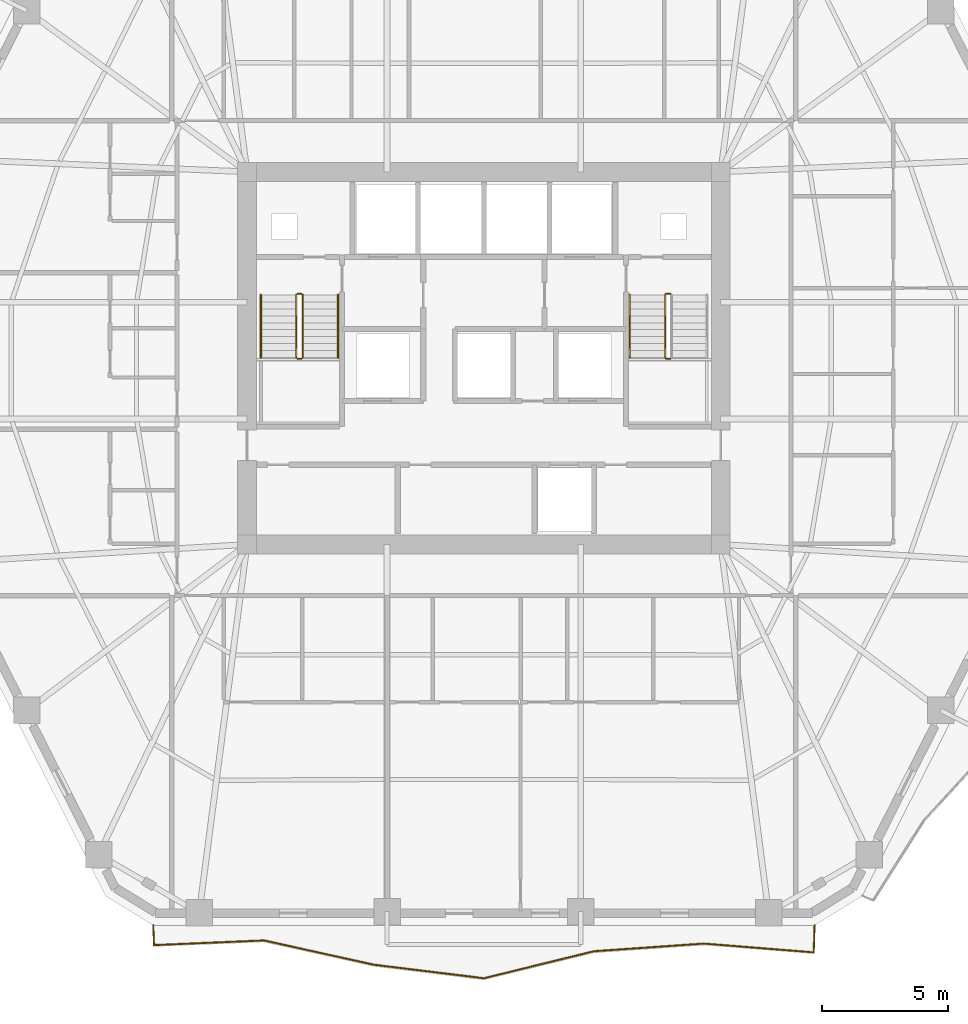
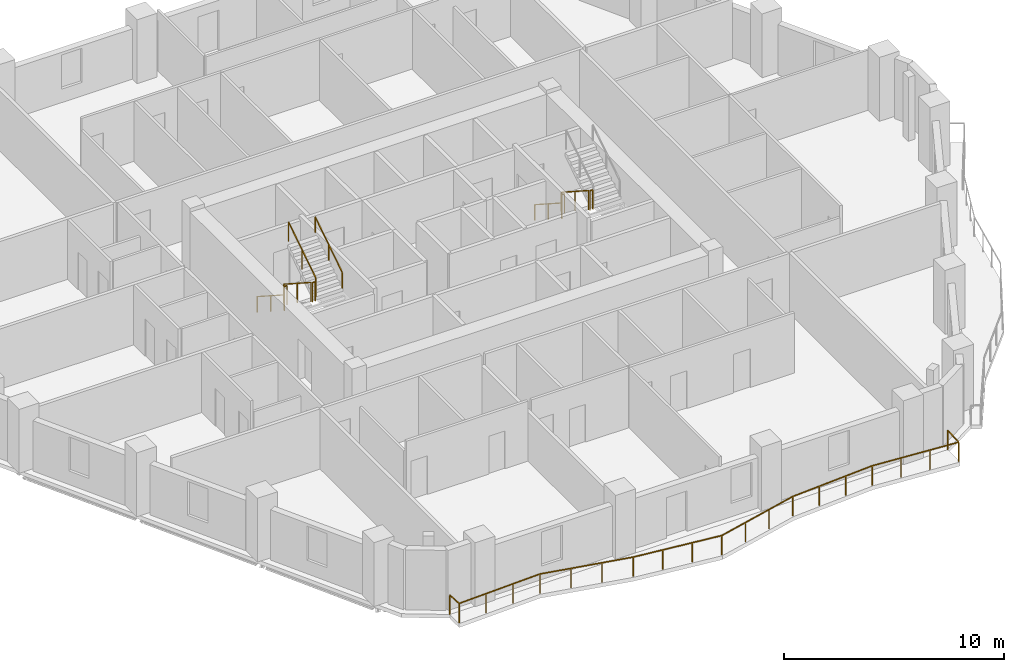
# One storey, part 9 of 10: 11 railings.
"""IFC4 building model written with IfcOpenShell, lengths in metres."""

from ifc_helpers import new_model, si_unit, direction, frame, origin, origin_2d, place, context, subcontext, project, spatial, rectangle, extrude, material, type_object, element, save


model = new_model("IFC4")

# Units and contexts
model_context = context("Model", 3, precision=1e-05, world=origin(), true_north=direction((0.0, 1.0)))
body_context = subcontext(model_context, "Body", "Model", "MODEL_VIEW")
ifc_project = project(units=[si_unit("LENGTHUNIT", "METRE"), si_unit("AREAUNIT", "SQUARE_METRE"), si_unit("VOLUMEUNIT", "CUBIC_METRE"), si_unit("PLANEANGLEUNIT", "RADIAN"), si_unit("MASSUNIT", "GRAM", prefix="KILO")], contexts=[model_context])

# Site, building, storey
site_placement = place(None, origin())
site = spatial("IfcSite", under=ifc_project, at=site_placement, CompositionType="ELEMENT")
building_placement = place(site_placement, origin())
building = spatial("IfcBuilding", under=site, at=building_placement, Name="Cinnabar Lancet Tower", CompositionType="ELEMENT")
storey_placement = place(building_placement, frame((0.0, 0.0, 116.14990234375)))
storey = spatial("IfcBuildingStorey", under=building, at=storey_placement, Name="L30", CompositionType="ELEMENT", Elevation=116.14990234375)

# Railings
ifc_material_1 = material(Name="Laminated safety glass and bronze stainless steel balustrade", Category="steel")
railing_type_1 = type_object("IfcRailingType", Name="ENV-RLG-BAL-1100", PredefinedType="BALUSTRADE", material=ifc_material_1)
railing_1_placement = place(storey_placement, frame((19.30810546875, 3.449951171875, 0.0)))
element("IfcRailing", 1, at=railing_1_placement, inside=storey, type_object=railing_type_1, Name="L30 Face 1 Wave Balcony Balustrade", PredefinedType="BALUSTRADE", context=body_context, shape_type="SweptSolid", body=[
    extrude(rectangle(XDim=0.048095703125, YDim=0.048095703125, at=origin_2d()), frame((0.0, 0.0, 1.076171875), z_axis=(0.043194484882, -0.999066682697, 0.0), x_axis=(0.999066682697, 0.043194484882, 0.0)), (0.0, 0.0, 1.0), 0.78564453125),
    extrude(rectangle(XDim=0.048095703125, YDim=0.048095703125, at=origin_2d()), frame((0.033935546875, -0.784912109375, 1.076171875), z_axis=(0.999088841889, 0.042678870811, 0.0), x_axis=(-0.042678870811, 0.999088841889, 0.0)), (0.0, 0.0, 1.0), 4.35888671875),
    extrude(rectangle(XDim=0.048095703125, YDim=0.048095703125, at=origin_2d()), frame((4.388916015625, -0.598876953125, 1.076171875), z_axis=(0.97646850042, -0.215660074394, 0.0), x_axis=(0.215660074394, 0.97646850042, 0.0)), (0.0, 0.0, 1.0), 4.45703125),
    extrude(rectangle(XDim=0.048095703125, YDim=0.048095703125, at=origin_2d()), frame((8.740966796875, -1.56005859375, 1.076171875), z_axis=(0.992526896599, -0.122026060852, 0.0), x_axis=(0.122026060852, 0.992526896599, 0.0)), (0.0, 0.0, 1.0), 4.383544921875),
    extrude(rectangle(XDim=0.048095703125, YDim=0.048095703125, at=origin_2d()), frame((13.091796875, -2.094970703125, 1.076171875), z_axis=(0.97116586772, 0.238404818274, 0.0), x_axis=(-0.238404818274, 0.97116586772, 0.0)), (0.0, 0.0, 1.0), 4.480224609375),
    extrude(rectangle(XDim=0.048095703125, YDim=0.048095703125, at=origin_2d()), frame((17.44287109375, -1.02685546875, 1.076171875), z_axis=(0.997585481011, 0.069449320203, 0.0), x_axis=(-0.069449320203, 0.997585481011, 0.0)), (0.0, 0.0, 1.0), 4.362548828125),
    extrude(rectangle(XDim=0.048095703125, YDim=0.048095703125, at=origin_2d()), frame((21.794921875, -0.723876953125, 1.076171875), z_axis=(0.996819896664, -0.079687474641, 0.0), x_axis=(0.079687474641, 0.996819896664, 0.0)), (0.0, 0.0, 1.0), 4.368896484375),
    extrude(rectangle(XDim=0.048095703125, YDim=0.048095703125, at=origin_2d()), frame((26.14990234375, -1.072021484375, 1.076171875), z_axis=(0.03163981045, 0.999499335865, 0.0), x_axis=(-0.999499335865, 0.03163981045, 0.0)), (0.0, 0.0, 1.0), 1.072509765625),
    extrude(rectangle(XDim=0.0419921875, YDim=0.0419921875, at=origin_2d()), origin(), (0.0, 0.0, 1.0), 1.052001953125),
    extrude(rectangle(XDim=0.0419921875, YDim=0.0419921875, at=origin_2d()), frame((0.033935546875, -0.784912109375, 0.0)), (0.0, 0.0, 1.0), 1.052001953125),
    extrude(rectangle(XDim=0.0419921875, YDim=0.0419921875, at=origin_2d()), frame((1.485595703125, -0.722900390625, 0.0)), (0.0, 0.0, 1.0), 1.052001953125),
    extrude(rectangle(XDim=0.0419921875, YDim=0.0419921875, at=origin_2d()), frame((2.937255859375, -0.660888671875, 0.0)), (0.0, 0.0, 1.0), 1.052001953125),
    extrude(rectangle(XDim=0.0419921875, YDim=0.0419921875, at=origin_2d()), frame((4.388916015625, -0.598876953125, 0.0)), (0.0, 0.0, 1.0), 1.052001953125),
    extrude(rectangle(XDim=0.0419921875, YDim=0.0419921875, at=origin_2d()), frame((5.839599609375, -0.919189453125, 0.0)), (0.0, 0.0, 1.0), 1.052001953125),
    extrude(rectangle(XDim=0.0419921875, YDim=0.0419921875, at=origin_2d()), frame((7.290283203125, -1.23974609375, 0.0)), (0.0, 0.0, 1.0), 1.052001953125),
    extrude(rectangle(XDim=0.0419921875, YDim=0.0419921875, at=origin_2d()), frame((8.740966796875, -1.56005859375, 0.0)), (0.0, 0.0, 1.0), 1.052001953125),
    extrude(rectangle(XDim=0.0419921875, YDim=0.0419921875, at=origin_2d()), frame((10.191162109375, -1.73828125, 0.0)), (0.0, 0.0, 1.0), 1.052001953125),
    extrude(rectangle(XDim=0.0419921875, YDim=0.0419921875, at=origin_2d()), frame((11.6416015625, -1.916748046875, 0.0)), (0.0, 0.0, 1.0), 1.052001953125),
    extrude(rectangle(XDim=0.0419921875, YDim=0.0419921875, at=origin_2d()), frame((13.091796875, -2.094970703125, 0.0)), (0.0, 0.0, 1.0), 1.052001953125),
    extrude(rectangle(XDim=0.0419921875, YDim=0.0419921875, at=origin_2d()), frame((14.542236328125, -1.739013671875, 0.0)), (0.0, 0.0, 1.0), 1.052001953125),
    extrude(rectangle(XDim=0.0419921875, YDim=0.0419921875, at=origin_2d()), frame((15.992431640625, -1.3828125, 0.0)), (0.0, 0.0, 1.0), 1.052001953125),
    extrude(rectangle(XDim=0.0419921875, YDim=0.0419921875, at=origin_2d()), frame((17.44287109375, -1.02685546875, 0.0)), (0.0, 0.0, 1.0), 1.052001953125),
    extrude(rectangle(XDim=0.0419921875, YDim=0.0419921875, at=origin_2d()), frame((18.8935546875, -0.92578125, 0.0)), (0.0, 0.0, 1.0), 1.052001953125),
    extrude(rectangle(XDim=0.0419921875, YDim=0.0419921875, at=origin_2d()), frame((20.34423828125, -0.824951171875, 0.0)), (0.0, 0.0, 1.0), 1.052001953125),
    extrude(rectangle(XDim=0.0419921875, YDim=0.0419921875, at=origin_2d()), frame((21.794921875, -0.723876953125, 0.0)), (0.0, 0.0, 1.0), 1.052001953125),
    extrude(rectangle(XDim=0.0419921875, YDim=0.0419921875, at=origin_2d()), frame((23.24658203125, -0.83984375, 0.0)), (0.0, 0.0, 1.0), 1.052001953125),
    extrude(rectangle(XDim=0.0419921875, YDim=0.0419921875, at=origin_2d()), frame((24.6982421875, -0.9560546875, 0.0)), (0.0, 0.0, 1.0), 1.052001953125),
    extrude(rectangle(XDim=0.0419921875, YDim=0.0419921875, at=origin_2d()), frame((26.14990234375, -1.072021484375, 0.0)), (0.0, 0.0, 1.0), 1.052001953125),
    extrude(rectangle(XDim=0.0419921875, YDim=0.0419921875, at=origin_2d()), frame((26.183837890625, 0.0, 0.0)), (0.0, 0.0, 1.0), 1.052001953125),
])
ifc_material_2 = material(Name="Painted galvanized steel balustrade", Category="steel")
railing_type_2 = type_object("IfcRailingType", Name="GUARD-STAIR", PredefinedType="GUARDRAIL", material=ifc_material_2)
railing_2_placement = place(storey_placement, frame((24.97509765625, 28.39990234375, 0.177490234375)))
element("IfcRailing", 2, at=railing_2_placement, inside=storey, type_object=railing_type_2, Name="L30 ST-1 stair guard 1", PredefinedType="GUARDRAIL", context=body_context, shape_type="SweptSolid", body=[
    extrude(rectangle(XDim=0.048095703125, YDim=0.048095703125, at=origin_2d()), frame((0.0, 0.0, 1.076171875), z_axis=(0.0, -0.84014559416, 0.542360932049), x_axis=(1.0, 0.0, 0.0)), (0.0, 0.0, 1.0), 2.94580078125),
    extrude(rectangle(XDim=0.0419921875, YDim=0.0419921875, at=origin_2d()), origin(), (0.0, 0.0, 1.0), 1.052001953125),
    extrude(rectangle(XDim=0.0419921875, YDim=0.0419921875, at=origin_2d()), frame((0.0, -1.2373046875, 0.798828125)), (0.0, 0.0, 1.0), 1.052001953125),
    extrude(rectangle(XDim=0.0419921875, YDim=0.0419921875, at=origin_2d()), frame((0.0, -2.474853515625, 1.59765625)), (0.0, 0.0, 1.0), 1.052001953125),
])
railing_3_placement = place(storey_placement, frame((25.02490234375, 25.875, 1.775146484375)))
element("IfcRailing", 3, at=railing_3_placement, inside=storey, type_object=railing_type_2, Name="L30 ST-1 stair guard 2", PredefinedType="GUARDRAIL", context=body_context, shape_type="SweptSolid", body=[
    extrude(rectangle(XDim=0.048095703125, YDim=0.048095703125, at=origin_2d()), frame((0.0, 0.0, 1.076171875), z_axis=(1.0, 0.0, 0.0), x_axis=(0.0, 1.0, 0.0)), (0.0, 0.0, 1.0), 0.150146484375),
    extrude(rectangle(XDim=0.0419921875, YDim=0.0419921875, at=origin_2d()), origin(), (0.0, 0.0, 1.0), 1.052001953125),
    extrude(rectangle(XDim=0.0419921875, YDim=0.0419921875, at=origin_2d()), frame((0.150146484375, 0.0, 0.0)), (0.0, 0.0, 1.0), 1.052001953125),
])
railing_4_placement = place(storey_placement, frame((25.22509765625, 25.925048828125, 1.95263671875)))
element("IfcRailing", 4, at=railing_4_placement, inside=storey, type_object=railing_type_2, Name="L30 ST-1 stair guard 3", PredefinedType="GUARDRAIL", context=body_context, shape_type="SweptSolid", body=[
    extrude(rectangle(XDim=0.048095703125, YDim=0.048095703125, at=origin_2d()), frame((0.0, 0.0, 1.076171875), z_axis=(0.0, 0.840183358697, 0.542302428327), x_axis=(-1.0, 0.0, 0.0)), (0.0, 0.0, 1.0), 2.945556640625),
    extrude(rectangle(XDim=0.0419921875, YDim=0.0419921875, at=origin_2d()), origin(), (0.0, 0.0, 1.0), 1.052001953125),
    extrude(rectangle(XDim=0.0419921875, YDim=0.0419921875, at=origin_2d()), frame((0.0, 1.2373046875, 0.798828125)), (0.0, 0.0, 1.0), 1.052001953125),
    extrude(rectangle(XDim=0.0419921875, YDim=0.0419921875, at=origin_2d()), frame((0.0, 2.474853515625, 1.597412109375)), (0.0, 0.0, 1.0), 1.052001953125),
])
railing_5_placement = place(storey_placement, frame((25.02490234375, 28.449951171875, 0.0)))
element("IfcRailing", 5, at=railing_5_placement, inside=storey, type_object=railing_type_2, Name="L30 ST-1 stair guard 4", PredefinedType="GUARDRAIL", context=body_context, shape_type="SweptSolid", body=[
    extrude(rectangle(XDim=0.048095703125, YDim=0.048095703125, at=origin_2d()), frame((0.0, 0.0, 1.076171875), z_axis=(1.0, 0.0, 0.0), x_axis=(0.0, 1.0, 0.0)), (0.0, 0.0, 1.0), 0.150146484375),
    extrude(rectangle(XDim=0.0419921875, YDim=0.0419921875, at=origin_2d()), origin(), (0.0, 0.0, 1.0), 1.052001953125),
    extrude(rectangle(XDim=0.0419921875, YDim=0.0419921875, at=origin_2d()), frame((0.150146484375, 0.0, 0.0)), (0.0, 0.0, 1.0), 1.052001953125),
])
railing_6_placement = place(storey_placement, frame((39.574951171875, 28.39990234375, 0.177490234375)))
element("IfcRailing", 6, at=railing_6_placement, inside=storey, type_object=railing_type_2, Name="L30 ST-2 stair guard 1", PredefinedType="GUARDRAIL", context=body_context, shape_type="SweptSolid", body=[
    extrude(rectangle(XDim=0.048095703125, YDim=0.048095703125, at=origin_2d()), frame((0.0, 0.0, 1.076171875), z_axis=(0.0, -0.84014559416, 0.542360932049), x_axis=(1.0, 0.0, 0.0)), (0.0, 0.0, 1.0), 2.94580078125),
    extrude(rectangle(XDim=0.0419921875, YDim=0.0419921875, at=origin_2d()), origin(), (0.0, 0.0, 1.0), 1.052001953125),
    extrude(rectangle(XDim=0.0419921875, YDim=0.0419921875, at=origin_2d()), frame((0.0, -1.2373046875, 0.798828125)), (0.0, 0.0, 1.0), 1.052001953125),
    extrude(rectangle(XDim=0.0419921875, YDim=0.0419921875, at=origin_2d()), frame((0.0, -2.474853515625, 1.59765625)), (0.0, 0.0, 1.0), 1.052001953125),
])
for number, where, name in (
    (7, (39.625, 25.875, 1.775146484375), "L30 ST-2 stair guard 2"),
    (8, (39.625, 28.449951171875, 0.0), "L30 ST-2 stair guard 4"),
):
    element("IfcRailing", number, at=place(storey_placement, frame(where)), inside=storey, type_object=railing_type_2, Name=name, PredefinedType="GUARDRAIL", context=body_context, shape_type="SweptSolid", body=[
        extrude(rectangle(XDim=0.048095703125, YDim=0.048095703125, at=origin_2d()), frame((0.0, 0.0, 1.076171875), z_axis=(1.0, 0.0, 0.0), x_axis=(0.0, 1.0, 0.0)), (0.0, 0.0, 1.0), 0.14990234375),
        extrude(rectangle(XDim=0.0419921875, YDim=0.0419921875, at=origin_2d()), origin(), (0.0, 0.0, 1.0), 1.052001953125),
        extrude(rectangle(XDim=0.0419921875, YDim=0.0419921875, at=origin_2d()), frame((0.14990234375, 0.0, 0.0)), (0.0, 0.0, 1.0), 1.052001953125),
    ])
ifc_material_3 = material(Name="Brushed stainless steel handrail", Category="steel")
railing_type_3 = type_object("IfcRailingType", Name="HANDRAIL-STAIR", PredefinedType="HANDRAIL", material=ifc_material_3)
railing_7_placement = place(storey_placement, frame((23.574951171875, 28.39990234375, 0.177490234375)))
element("IfcRailing", 9, at=railing_7_placement, inside=storey, type_object=railing_type_3, Name="L30 ST-1 stair handrail 1", PredefinedType="HANDRAIL", context=body_context, shape_type="SweptSolid", body=[
    extrude(rectangle(XDim=0.048095703125, YDim=0.048095703125, at=origin_2d()), frame((0.0, 0.0, 0.8759765625), z_axis=(0.0, -0.84014559416, 0.542360932049), x_axis=(1.0, 0.0, 0.0)), (0.0, 0.0, 1.0), 2.94580078125),
    extrude(rectangle(XDim=0.0419921875, YDim=0.0419921875, at=origin_2d()), origin(), (0.0, 0.0, 1.0), 0.851806640625),
    extrude(rectangle(XDim=0.0419921875, YDim=0.0419921875, at=origin_2d()), frame((0.0, -1.2373046875, 0.798828125)), (0.0, 0.0, 1.0), 0.851806640625),
    extrude(rectangle(XDim=0.0419921875, YDim=0.0419921875, at=origin_2d()), frame((0.0, -2.474853515625, 1.59765625)), (0.0, 0.0, 1.0), 0.851806640625),
])
railing_8_placement = place(storey_placement, frame((26.625, 25.925048828125, 1.95263671875)))
element("IfcRailing", 10, at=railing_8_placement, inside=storey, type_object=railing_type_3, Name="L30 ST-1 stair handrail 2", PredefinedType="HANDRAIL", context=body_context, shape_type="SweptSolid", body=[
    extrude(rectangle(XDim=0.048095703125, YDim=0.048095703125, at=origin_2d()), frame((0.0, 0.0, 0.8759765625), z_axis=(0.0, 0.840183358697, 0.542302428327), x_axis=(-1.0, 0.0, 0.0)), (0.0, 0.0, 1.0), 2.945556640625),
    extrude(rectangle(XDim=0.0419921875, YDim=0.0419921875, at=origin_2d()), origin(), (0.0, 0.0, 1.0), 0.851806640625),
    extrude(rectangle(XDim=0.0419921875, YDim=0.0419921875, at=origin_2d()), frame((0.0, 1.2373046875, 0.798828125)), (0.0, 0.0, 1.0), 0.851806640625),
    extrude(rectangle(XDim=0.0419921875, YDim=0.0419921875, at=origin_2d()), frame((0.0, 2.474853515625, 1.597412109375)), (0.0, 0.0, 1.0), 0.851806640625),
])
railing_9_placement = place(storey_placement, frame((38.175048828125, 28.39990234375, 0.177490234375)))
element("IfcRailing", 11, at=railing_9_placement, inside=storey, type_object=railing_type_3, Name="L30 ST-2 stair handrail 1", PredefinedType="HANDRAIL", context=body_context, shape_type="SweptSolid", body=[
    extrude(rectangle(XDim=0.048095703125, YDim=0.048095703125, at=origin_2d()), frame((0.0, 0.0, 0.8759765625), z_axis=(0.0, -0.84014559416, 0.542360932049), x_axis=(1.0, 0.0, 0.0)), (0.0, 0.0, 1.0), 2.94580078125),
    extrude(rectangle(XDim=0.0419921875, YDim=0.0419921875, at=origin_2d()), origin(), (0.0, 0.0, 1.0), 0.851806640625),
    extrude(rectangle(XDim=0.0419921875, YDim=0.0419921875, at=origin_2d()), frame((0.0, -1.2373046875, 0.798828125)), (0.0, 0.0, 1.0), 0.851806640625),
    extrude(rectangle(XDim=0.0419921875, YDim=0.0419921875, at=origin_2d()), frame((0.0, -2.474853515625, 1.59765625)), (0.0, 0.0, 1.0), 0.851806640625),
])

save(model, "model.ifc")
